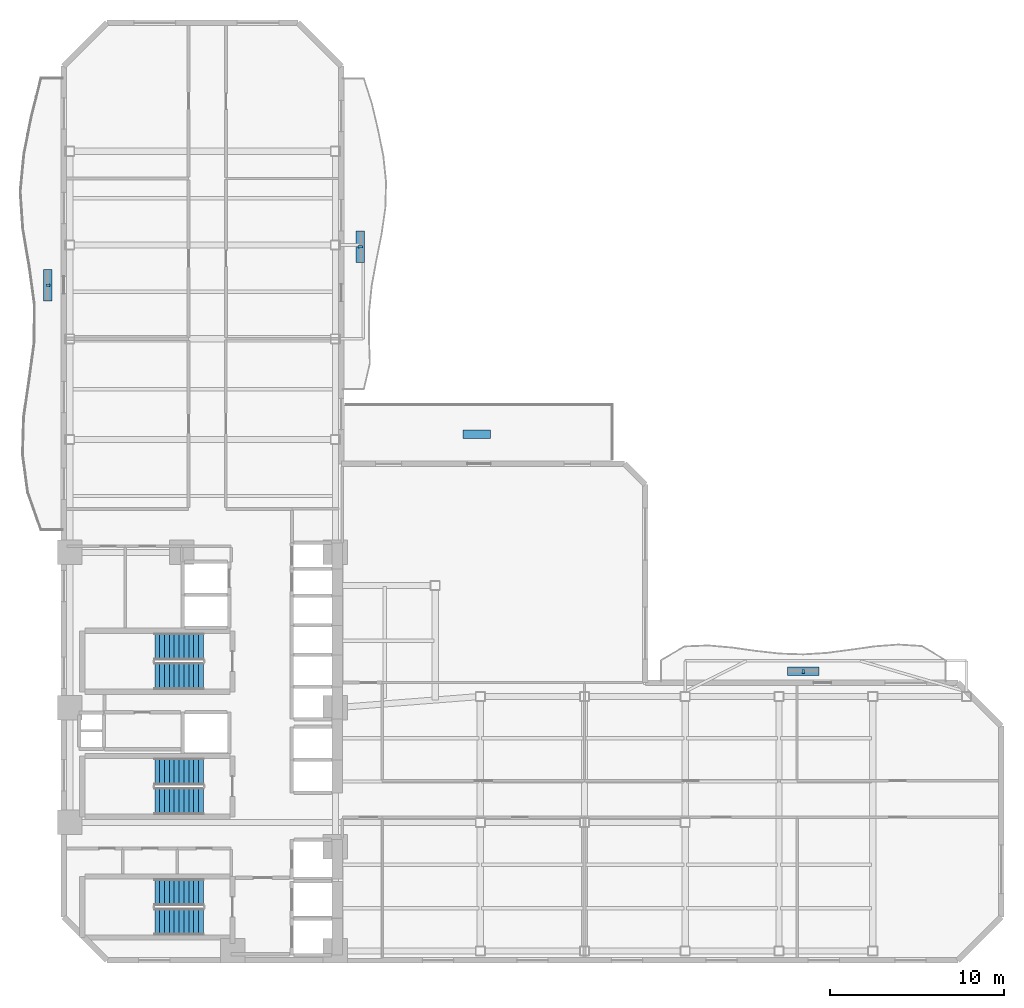
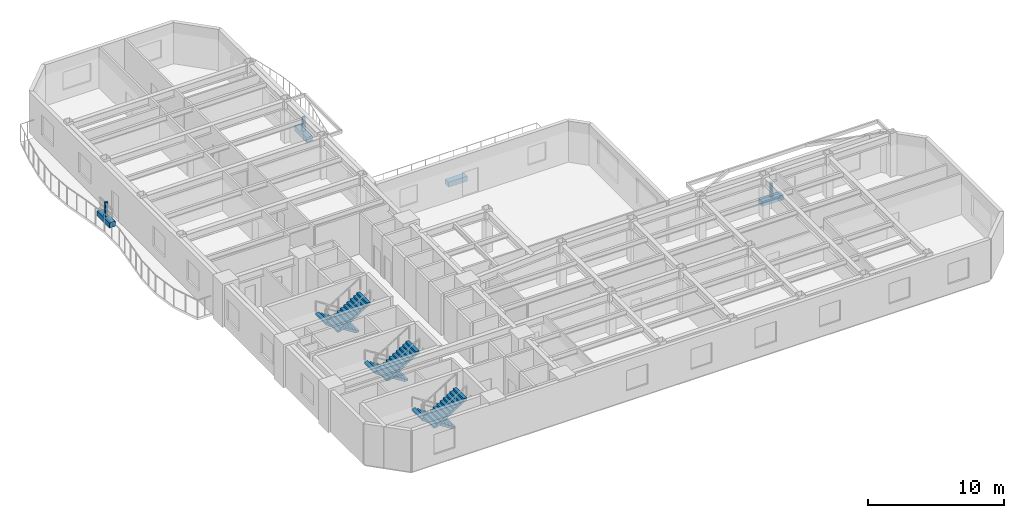
# One storey, part 7 of 10: 7 discrete accessories, 6 stair flights, 3 elements without a shape of their own.
"""IFC4 building model written with IfcOpenShell, lengths in metres."""

from ifc_helpers import new_model, si_unit, direction, frame, origin, origin_2d, place, context, subcontext, project, spatial, polyline, rectangle, outline, extrude, material, type_object, element, aggregate, save


model = new_model("IFC4")

# Units and contexts
model_context = context("Model", 3, precision=1e-05, world=origin(), true_north=direction((0.0, 1.0)))
body_context = subcontext(model_context, "Body", "Model", "MODEL_VIEW")
ifc_project = project(units=[si_unit("LENGTHUNIT", "METRE"), si_unit("AREAUNIT", "SQUARE_METRE"), si_unit("VOLUMEUNIT", "CUBIC_METRE"), si_unit("PLANEANGLEUNIT", "RADIAN"), si_unit("MASSUNIT", "GRAM", prefix="KILO")], contexts=[model_context])

# Site, building, storey
site_placement = place(None, origin())
site = spatial("IfcSite", under=ifc_project, at=site_placement, CompositionType="ELEMENT")
building_placement = place(site_placement, origin())
building = spatial("IfcBuilding", under=site, at=building_placement, Name="Mawjaban Terraces University", CompositionType="ELEMENT")
storey_placement = place(building_placement, frame((0.0, 0.0, 31.0)))
storey = spatial("IfcBuildingStorey", under=building, at=storey_placement, Name="L06", CompositionType="ELEMENT", Elevation=31.0)

# Stair, stair flights
ifc_material_1 = material(Name="Concrete C40/50", Category="concrete")
stair_type = type_object("IfcStairType", Name="Stair_Core1550_H39", PredefinedType="HALF_TURN_STAIR", material=ifc_material_1)
stair_1_placement = place(storey_placement, origin())
stair_1 = element("IfcStair", 1, at=stair_1_placement, inside=storey, type_object=stair_type, Name="L06 Core Exit Stair 1", PredefinedType="HALF_TURN_STAIR")
stair_flight_type = type_object("IfcStairFlightType", Name="Flight_Core1550_H39", PredefinedType="STRAIGHT", material=ifc_material_1)
stair_flight_1_placement = place(storey_placement, frame((30.050048828125, 3.925048828125, 0.0), z_axis=(0.0, 0.0, 1.0), x_axis=(-1.0, 0.0, 0.0)))
stair_flight_1 = element("IfcStairFlight", 2, at=stair_flight_1_placement, type_object=stair_flight_type, Name="ST-1 flight 1", NumberOfRisers=11, NumberOfTreads=10, PredefinedType="STRAIGHT", RiserHeight=0.177272727, TreadLength=0.28, context=body_context, shape_type="SweptSolid", body=[
    extrude(outline(polyline([(0.0, 0.0), (0.0, 0.17724609375), (0.280029296875, 0.17724609375), (0.280029296875, 0.3544921875), (0.56005859375, 0.3544921875), (0.56005859375, 0.53173828125), (0.840087890625, 0.53173828125), (0.840087890625, 0.708984375), (1.1201171875, 0.708984375), (1.1201171875, 0.886474609375), (1.39990234375, 0.886474609375), (1.39990234375, 1.063720703125), (1.679931640625, 1.063720703125), (1.679931640625, 1.240966796875), (1.9599609375, 1.240966796875), (1.9599609375, 1.418212890625), (2.239990234375, 1.418212890625), (2.239990234375, 1.595458984375), (2.52001953125, 1.595458984375), (2.52001953125, 1.772705078125), (2.800048828125, 1.772705078125), (2.800048828125, 1.949951171875), (2.800048828125, 1.59521484375), (0.2802734375, 0.0), (0.0, 0.0)])), frame((0.0, 0.77490234375, 0.0), z_axis=(0.0, -1.0, 0.0), x_axis=(1.0, 0.0, 0.0)), (0.0, 0.0, 1.0), 1.550048828125),
])
stair_flight_2_placement = place(storey_placement, frame((27.25, 2.22509765625, 1.949951171875), z_axis=(0.0, 0.0, 1.0), x_axis=(1.0, 0.0, 0.0)))
stair_flight_2 = element("IfcStairFlight", 3, at=stair_flight_2_placement, type_object=stair_flight_type, Name="ST-1 flight 2", NumberOfRisers=11, NumberOfTreads=10, PredefinedType="STRAIGHT", RiserHeight=0.177272727, TreadLength=0.28, context=body_context, shape_type="SweptSolid", body=[
    extrude(outline(polyline([(0.0, 0.0), (0.0, 0.17724609375), (0.280029296875, 0.17724609375), (0.280029296875, 0.3544921875), (0.56005859375, 0.3544921875), (0.56005859375, 0.53173828125), (0.840087890625, 0.53173828125), (0.840087890625, 0.708984375), (1.1201171875, 0.708984375), (1.1201171875, 0.886474609375), (1.39990234375, 0.886474609375), (1.39990234375, 1.063720703125), (1.679931640625, 1.063720703125), (1.679931640625, 1.240966796875), (1.9599609375, 1.240966796875), (1.9599609375, 1.418212890625), (2.239990234375, 1.418212890625), (2.239990234375, 1.595458984375), (2.52001953125, 1.595458984375), (2.52001953125, 1.772705078125), (2.800048828125, 1.772705078125), (2.800048828125, 1.949951171875), (2.800048828125, 1.59521484375), (0.2802734375, 0.0), (0.0, 0.0)])), frame((0.0, 0.77490234375, 0.0), z_axis=(0.0, -1.0, 0.0), x_axis=(1.0, 0.0, 0.0)), (0.0, 0.0, 1.0), 1.550048828125),
])
aggregate(stair_1, [stair_flight_1, stair_flight_2])

stair_2_placement = place(storey_placement, origin())
stair_2 = element("IfcStair", 4, at=stair_2_placement, inside=storey, type_object=stair_type, Name="L06 Core Exit Stair 2", PredefinedType="HALF_TURN_STAIR")
stair_flight_3_placement = place(storey_placement, frame((30.050048828125, 18.074951171875, 0.0), z_axis=(0.0, 0.0, 1.0), x_axis=(-1.0, 0.0, 0.0)))
stair_flight_3 = element("IfcStairFlight", 5, at=stair_flight_3_placement, type_object=stair_flight_type, Name="ST-2 flight 1", NumberOfRisers=11, NumberOfTreads=10, PredefinedType="STRAIGHT", RiserHeight=0.177272727, TreadLength=0.28, context=body_context, shape_type="SweptSolid", body=[
    extrude(outline(polyline([(0.0, 0.0), (0.0, 0.17724609375), (0.280029296875, 0.17724609375), (0.280029296875, 0.3544921875), (0.56005859375, 0.3544921875), (0.56005859375, 0.53173828125), (0.840087890625, 0.53173828125), (0.840087890625, 0.708984375), (1.1201171875, 0.708984375), (1.1201171875, 0.886474609375), (1.39990234375, 0.886474609375), (1.39990234375, 1.063720703125), (1.679931640625, 1.063720703125), (1.679931640625, 1.240966796875), (1.9599609375, 1.240966796875), (1.9599609375, 1.418212890625), (2.239990234375, 1.418212890625), (2.239990234375, 1.595458984375), (2.52001953125, 1.595458984375), (2.52001953125, 1.772705078125), (2.800048828125, 1.772705078125), (2.800048828125, 1.949951171875), (2.800048828125, 1.59521484375), (0.2802734375, 0.0), (0.0, 0.0)])), frame((0.0, 0.77490234375, 0.0), z_axis=(0.0, -1.0, 0.0), x_axis=(1.0, 0.0, 0.0)), (0.0, 0.0, 1.0), 1.550048828125),
])
stair_flight_4_placement = place(storey_placement, frame((27.25, 16.375, 1.949951171875), z_axis=(0.0, 0.0, 1.0), x_axis=(1.0, 0.0, 0.0)))
stair_flight_4 = element("IfcStairFlight", 6, at=stair_flight_4_placement, type_object=stair_flight_type, Name="ST-2 flight 2", NumberOfRisers=11, NumberOfTreads=10, PredefinedType="STRAIGHT", RiserHeight=0.177272727, TreadLength=0.28, context=body_context, shape_type="SweptSolid", body=[
    extrude(outline(polyline([(0.0, 0.0), (0.0, 0.17724609375), (0.280029296875, 0.17724609375), (0.280029296875, 0.3544921875), (0.56005859375, 0.3544921875), (0.56005859375, 0.53173828125), (0.840087890625, 0.53173828125), (0.840087890625, 0.708984375), (1.1201171875, 0.708984375), (1.1201171875, 0.886474609375), (1.39990234375, 0.886474609375), (1.39990234375, 1.063720703125), (1.679931640625, 1.063720703125), (1.679931640625, 1.240966796875), (1.9599609375, 1.240966796875), (1.9599609375, 1.418212890625), (2.239990234375, 1.418212890625), (2.239990234375, 1.595458984375), (2.52001953125, 1.595458984375), (2.52001953125, 1.772705078125), (2.800048828125, 1.772705078125), (2.800048828125, 1.949951171875), (2.800048828125, 1.59521484375), (0.2802734375, 0.0), (0.0, 0.0)])), frame((0.0, 0.77490234375, 0.0), z_axis=(0.0, -1.0, 0.0), x_axis=(1.0, 0.0, 0.0)), (0.0, 0.0, 1.0), 1.550048828125),
])
aggregate(stair_2, [stair_flight_3, stair_flight_4])

stair_3_placement = place(storey_placement, origin())
stair_3 = element("IfcStair", 7, at=stair_3_placement, inside=storey, type_object=stair_type, Name="L06 Core Exit Stair 3", PredefinedType="HALF_TURN_STAIR")
stair_flight_5_placement = place(storey_placement, frame((30.050048828125, 10.875, 0.0), z_axis=(0.0, 0.0, 1.0), x_axis=(-1.0, 0.0, 0.0)))
stair_flight_5 = element("IfcStairFlight", 8, at=stair_flight_5_placement, type_object=stair_flight_type, Name="ST-3 flight 1", NumberOfRisers=11, NumberOfTreads=10, PredefinedType="STRAIGHT", RiserHeight=0.177272727, TreadLength=0.28, context=body_context, shape_type="SweptSolid", body=[
    extrude(outline(polyline([(0.0, 0.0), (0.0, 0.17724609375), (0.280029296875, 0.17724609375), (0.280029296875, 0.3544921875), (0.56005859375, 0.3544921875), (0.56005859375, 0.53173828125), (0.840087890625, 0.53173828125), (0.840087890625, 0.708984375), (1.1201171875, 0.708984375), (1.1201171875, 0.886474609375), (1.39990234375, 0.886474609375), (1.39990234375, 1.063720703125), (1.679931640625, 1.063720703125), (1.679931640625, 1.240966796875), (1.9599609375, 1.240966796875), (1.9599609375, 1.418212890625), (2.239990234375, 1.418212890625), (2.239990234375, 1.595458984375), (2.52001953125, 1.595458984375), (2.52001953125, 1.772705078125), (2.800048828125, 1.772705078125), (2.800048828125, 1.949951171875), (2.800048828125, 1.59521484375), (0.2802734375, 0.0), (0.0, 0.0)])), frame((0.0, 0.77490234375, 0.0), z_axis=(0.0, -1.0, 0.0), x_axis=(1.0, 0.0, 0.0)), (0.0, 0.0, 1.0), 1.550048828125),
])
stair_flight_6_placement = place(storey_placement, frame((27.25, 9.175048828125, 1.949951171875), z_axis=(0.0, 0.0, 1.0), x_axis=(1.0, 0.0, 0.0)))
stair_flight_6 = element("IfcStairFlight", 9, at=stair_flight_6_placement, type_object=stair_flight_type, Name="ST-3 flight 2", NumberOfRisers=11, NumberOfTreads=10, PredefinedType="STRAIGHT", RiserHeight=0.177272727, TreadLength=0.28, context=body_context, shape_type="SweptSolid", body=[
    extrude(outline(polyline([(0.0, 0.0), (0.0, 0.17724609375), (0.280029296875, 0.17724609375), (0.280029296875, 0.3544921875), (0.56005859375, 0.3544921875), (0.56005859375, 0.53173828125), (0.840087890625, 0.53173828125), (0.840087890625, 0.708984375), (1.1201171875, 0.708984375), (1.1201171875, 0.886474609375), (1.39990234375, 0.886474609375), (1.39990234375, 1.063720703125), (1.679931640625, 1.063720703125), (1.679931640625, 1.240966796875), (1.9599609375, 1.240966796875), (1.9599609375, 1.418212890625), (2.239990234375, 1.418212890625), (2.239990234375, 1.595458984375), (2.52001953125, 1.595458984375), (2.52001953125, 1.772705078125), (2.800048828125, 1.772705078125), (2.800048828125, 1.949951171875), (2.800048828125, 1.59521484375), (0.2802734375, 0.0), (0.0, 0.0)])), frame((0.0, 0.77490234375, 0.0), z_axis=(0.0, -1.0, 0.0), x_axis=(1.0, 0.0, 0.0)), (0.0, 0.0, 1.0), 1.550048828125),
])
aggregate(stair_3, [stair_flight_5, stair_flight_6])

# Discrete accessories
ifc_material_2 = material(Name="Stainless steel 316L", Category="steel")
discrete_accessory_type_1 = type_object("IfcDiscreteAccessoryType", Name="FacadeScreenBracket_Steel", PredefinedType="BRACKET", material=ifc_material_2)
for number, where, z_axis, x_axis, name in (
    (10, (21.093017578125, 38.883056640625, 0.419921875), (0.0, 0.0, 1.0), (0.0, 1.0, 0.0), "L06 Balcony Screen Support Bracket west"),
    (11, (64.60009765625, 16.64501953125, 0.419921875), (0.0, 0.0, 1.0), (1.0, 0.0, 0.0), "L06 Balcony Screen Support Bracket inner_north"),
    (12, (39.083984375, 41.10400390625, 0.419921875), (0.0, 0.0, 1.0), (0.0, 1.0, 0.0), "L06 Balcony Screen Support Bracket inner_east"),
):
    element("IfcDiscreteAccessory", number, at=place(storey_placement, frame(where, z_axis=z_axis, x_axis=x_axis)), inside=storey, type_object=discrete_accessory_type_1, Name=name, PredefinedType="BRACKET", context=body_context, shape_type="SweptSolid", body=[
        extrude(rectangle(XDim=0.159912109375, YDim=0.239990234375, at=origin_2d()), origin(), (0.0, 0.0, 1.0), 1.300048828125),
    ])
ifc_material_3 = material(Name="Precast architectural terracotta planter with engineered planting soil", Category="masonry")
discrete_accessory_type_2 = type_object("IfcDiscreteAccessoryType", Name="IrrigatedPlanterTrough_450", PredefinedType="USERDEFINED", material=ifc_material_3)
for number, where, z_axis, x_axis, name in (
    (13, (21.093017578125, 38.883056640625, -0.0048828125), (0.0, 0.0, 1.0), (0.0, 1.0, 0.0), "L06 Balcony Irrigated Planter west"),
    (14, (64.60009765625, 16.64501953125, -0.0048828125), (0.0, 0.0, 1.0), (1.0, 0.0, 0.0), "L06 Balcony Irrigated Planter inner_north"),
    (15, (39.083984375, 41.10400390625, -0.0048828125), (0.0, 0.0, 1.0), (0.0, 1.0, 0.0), "L06 Balcony Irrigated Planter inner_east"),
):
    element("IfcDiscreteAccessory", number, at=place(storey_placement, frame(where, z_axis=z_axis, x_axis=x_axis)), inside=storey, type_object=discrete_accessory_type_2, Name=name, ObjectType="PLANTER", PredefinedType="USERDEFINED", context=body_context, shape_type="SweptSolid", body=[
        extrude(rectangle(XDim=1.800048828125, YDim=0.5, at=origin_2d()), origin(), (0.0, 0.0, 1.0), 0.449951171875),
    ])
discrete_accessory_placement = place(storey_placement, frame((45.800048828125, 30.300048828125, -0.0048828125), z_axis=(0.0, 0.0, 1.0), x_axis=(1.0, 0.0, 0.0)))
element("IfcDiscreteAccessory", 16, at=discrete_accessory_placement, inside=storey, type_object=discrete_accessory_type_2, Name="L06 Terrace Planter TER-L06-CLIMB", ObjectType="PLANTER", PredefinedType="USERDEFINED", context=body_context, shape_type="SweptSolid", body=[
    extrude(rectangle(XDim=1.60009765625, YDim=0.5, at=origin_2d()), origin(), (0.0, 0.0, 1.0), 0.449951171875),
])

save(model, "model.ifc")
